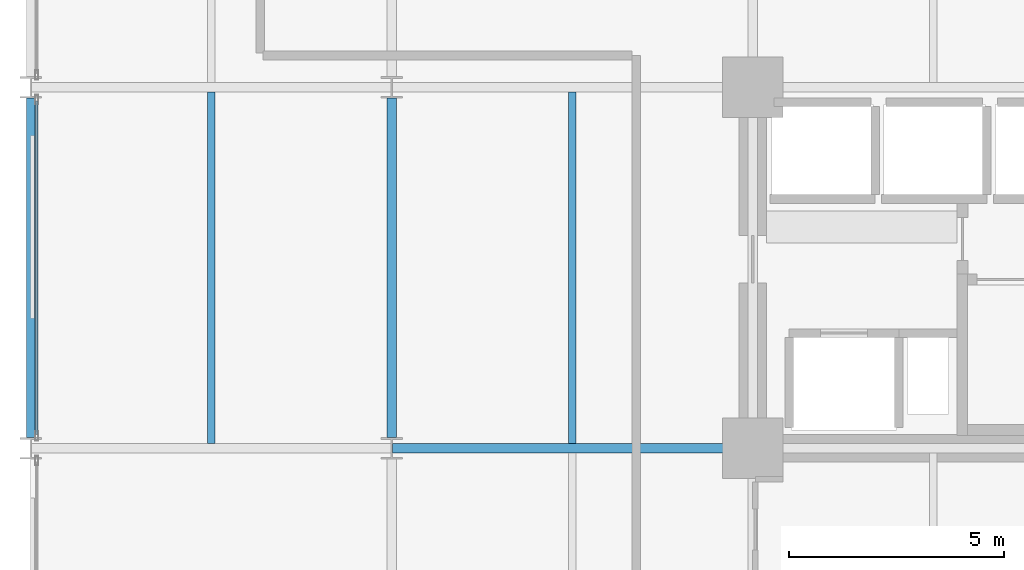
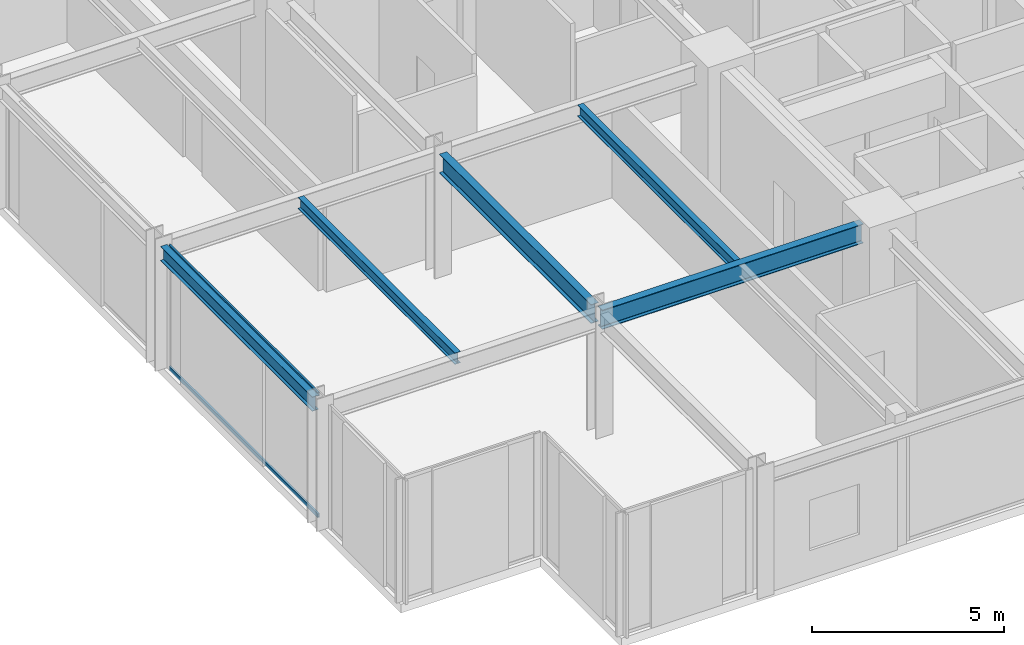
# One storey, part 3 of 24: 5 beams, 2 members, 1 element without a shape of its own.
"""IFC4 building model written with IfcOpenShell, lengths in metres."""

from ifc_helpers import new_model, si_unit, direction, frame, origin, origin_2d, place, context, subcontext, project, spatial, hollow_rectangle, i_section, extrude, material, layer, layer_set, material_profile, profile_set, type_object, element, aggregate, save


model = new_model("IFC4")

# Units and contexts
model_context = context("Model", 3, precision=1e-05, world=origin(), true_north=direction((0.0, 1.0)))
body_context = subcontext(model_context, "Body", "Model", "MODEL_VIEW")
ifc_project = project(units=[si_unit("LENGTHUNIT", "METRE"), si_unit("AREAUNIT", "SQUARE_METRE"), si_unit("VOLUMEUNIT", "CUBIC_METRE"), si_unit("PLANEANGLEUNIT", "RADIAN"), si_unit("MASSUNIT", "GRAM", prefix="KILO")], contexts=[model_context])

# Site, building, storey
site_placement = place(None, origin())
site = spatial("IfcSite", under=ifc_project, at=site_placement, CompositionType="ELEMENT")
building_placement = place(site_placement, origin())
building = spatial("IfcBuilding", under=site, at=building_placement, Name="Nerrivon Quay Data Exchange", CompositionType="ELEMENT")
storey_placement = place(building_placement, frame((0.0, 0.0, 50.0)))
storey = spatial("IfcBuildingStorey", under=building, at=storey_placement, Name="L11", CompositionType="ELEMENT", Elevation=50.0)

# Beams
ifc_material_1 = material(Name="Steel Grade 350", Category="steel")
ifc_material_profile_1 = material_profile(ifc_material_1, i_section(OverallWidth=0.22900390625, OverallDepth=0.612060546875, WebThickness=0.011962890625, FlangeThickness=0.01953125, FilletRadius=0.013916015625, at=origin_2d()), Name="610UB125")
ifc_profile_set_1 = profile_set([ifc_material_profile_1], Name="Steel Grade 350")
beam_type_1 = type_object("IfcBeamType", Name="BM-G1-610UB125", PredefinedType="BEAM", material=ifc_profile_set_1)
beam_1_placement = place(storey_placement, frame((8.4140625, 8.39990234375, 3.618896484375), z_axis=(1.0, 0.0, 0.0), x_axis=(0.0, 1.0, 0.0)))
element("IfcBeam", 1, at=beam_1_placement, inside=storey, type_object=beam_type_1, Name="L11 EW Girder Y=8.4 (8.4..16.8)", PredefinedType="BEAM", context=body_context, shape_type="SweptSolid", body=[
    extrude(i_section(OverallWidth=0.22900390625, OverallDepth=0.612060546875, WebThickness=0.011962890625, FlangeThickness=0.01953125, FilletRadius=0.013916015625, at=origin_2d()), origin(), (0.0, 0.0, 1.0), 7.845947265625),
])
ifc_material_profile_2 = material_profile(ifc_material_1, i_section(OverallWidth=0.22802734375, OverallDepth=0.60205078125, WebThickness=0.010498046875, FlangeThickness=0.014892578125, FilletRadius=0.013916015625, at=origin_2d()), Name="610UB101")
ifc_profile_set_2 = profile_set([ifc_material_profile_2], Name="Steel Grade 350")
beam_type_2 = type_object("IfcBeamType", Name="BM-G2-610UB101", PredefinedType="BEAM", material=ifc_profile_set_2)
beam_2_placement = place(storey_placement, frame((8.39990234375, 8.64990234375, 3.6240234375), z_axis=(0.0, 1.0, 0.0), x_axis=(-1.0, 0.0, 0.0)))
element("IfcBeam", 2, at=beam_2_placement, inside=storey, type_object=beam_type_2, Name="L11 NS Girder X=8.4 (8.4..16.8)", PredefinedType="BEAM", context=body_context, shape_type="SweptSolid", body=[
    extrude(i_section(OverallWidth=0.22802734375, OverallDepth=0.60205078125, WebThickness=0.010498046875, FlangeThickness=0.014892578125, FilletRadius=0.013916015625, at=origin_2d()), origin(), (0.0, 0.0, 1.0), 7.900146484375),
])
ifc_material_profile_3 = material_profile(ifc_material_1, i_section(OverallWidth=0.172119140625, OverallDepth=0.35888671875, WebThickness=0.008056640625, FlangeThickness=0.012939453125, FilletRadius=0.011474609375, at=origin_2d()), Name="360UB56.7")
ifc_profile_set_3 = profile_set([ifc_material_profile_3], Name="Steel Grade 350")
beam_type_3 = type_object("IfcBeamType", Name="BM-J3-360UB57", PredefinedType="JOIST", material=ifc_profile_set_3)
for number, where, z_axis, x_axis, name in (
    (3, (4.199951171875, 8.514404296875, 3.74560546875), (0.0, 1.0, 0.0), (-1.0, 0.0, 0.0), "L11 Secondary Joist X=4.2 (8.4..16.8)"),
    (4, (12.60009765625, 8.514404296875, 3.74560546875), (0.0, 1.0, 0.0), (-1.0, 0.0, 0.0), "L11 Secondary Joist X=12.6 (8.4..16.8)"),
):
    element("IfcBeam", number, at=place(storey_placement, frame(where, z_axis=z_axis, x_axis=x_axis)), inside=storey, type_object=beam_type_3, Name=name, PredefinedType="JOIST", context=body_context, shape_type="SweptSolid", body=[
        extrude(i_section(OverallWidth=0.172119140625, OverallDepth=0.35888671875, WebThickness=0.008056640625, FlangeThickness=0.012939453125, FilletRadius=0.011474609375, at=origin_2d()), origin(), (0.0, 0.0, 1.0), 8.171142578125),
    ])
ifc_material_profile_4 = material_profile(ifc_material_1, i_section(OverallWidth=0.18994140625, OverallDepth=0.4541015625, WebThickness=0.008544921875, FlangeThickness=0.0126953125, FilletRadius=0.011474609375, at=origin_2d()), Name="460UB67.1")
ifc_profile_set_4 = profile_set([ifc_material_profile_4], Name="Steel Grade 350")
beam_type_4 = type_object("IfcBeamType", Name="BM-SP1-460UB67", PredefinedType="SPANDREL", material=ifc_profile_set_4)
beam_3_placement = place(storey_placement, frame((0.0, 8.64990234375, 3.697998046875), z_axis=(0.0, 1.0, 0.0), x_axis=(-1.0, 0.0, 0.0)))
element("IfcBeam", 5, at=beam_3_placement, inside=storey, type_object=beam_type_4, Name="L11 NS Girder X=0.0 (8.4..16.8)", PredefinedType="SPANDREL", context=body_context, shape_type="SweptSolid", body=[
    extrude(i_section(OverallWidth=0.18994140625, OverallDepth=0.4541015625, WebThickness=0.008544921875, FlangeThickness=0.0126953125, FilletRadius=0.011474609375, at=origin_2d()), origin(), (0.0, 0.0, 1.0), 7.900146484375),
])

# Curtain wall, members
ifc_material_2 = material(Name="Anodised aluminium 6063-T6", Category="aluminium")
ifc_layer = layer(ifc_material_2, 0.219970703125)
ifc_layer_set = layer_set([ifc_layer], Name="Anodised aluminium 6063-T6")
curtain_wall_type = type_object("IfcCurtainWallType", Name="CW-SYS-01", PredefinedType="NOTDEFINED", material=ifc_layer_set)
curtain_wall_placement = place(storey_placement, origin())
curtain_wall = element("IfcCurtainWall", 6, at=curtain_wall_placement, inside=storey, type_object=curtain_wall_type, Name="L11 Unitised Curtain Wall 14", PredefinedType="NOTDEFINED")
ifc_material_profile_5 = material_profile(ifc_material_2, hollow_rectangle(XDim=0.06005859375, YDim=0.1201171875, WallThickness=0.003173828125, at=origin_2d()), Name="ALU-TRAN-120x60")
ifc_profile_set_5 = profile_set([ifc_material_profile_5], Name="Anodised aluminium 6063-T6")
member_type = type_object("IfcMemberType", Name="CWT-120x60", PredefinedType="USERDEFINED", material=ifc_profile_set_5)
member_1_placement = place(storey_placement, frame((0.139892578125, 8.72509765625, 0.032470703125), z_axis=(0.0, 1.0, 0.0), x_axis=(-1.0, 0.0, 0.0)))
member_1 = element("IfcMember", 7, at=member_1_placement, type_object=member_type, Name="CW01 transom 1.1", ObjectType="TRANSOM", PredefinedType="USERDEFINED", context=body_context, shape_type="SweptSolid", body=[
    extrude(hollow_rectangle(XDim=0.06005859375, YDim=0.1201171875, WallThickness=0.003173828125, at=origin_2d()), origin(), (0.0, 0.0, 1.0), 7.75),
])
member_2_placement = place(storey_placement, frame((0.139892578125, 8.72509765625, 3.892578125), z_axis=(0.0, 1.0, 0.0), x_axis=(-1.0, 0.0, 0.0)))
member_2 = element("IfcMember", 8, at=member_2_placement, type_object=member_type, Name="CW01 transom 1.2", ObjectType="TRANSOM", PredefinedType="USERDEFINED", context=body_context, shape_type="SweptSolid", body=[
    extrude(hollow_rectangle(XDim=0.06005859375, YDim=0.1201171875, WallThickness=0.003173828125, at=origin_2d()), origin(), (0.0, 0.0, 1.0), 7.75),
])
aggregate(curtain_wall, [member_1, member_2])

save(model, "model.ifc")
